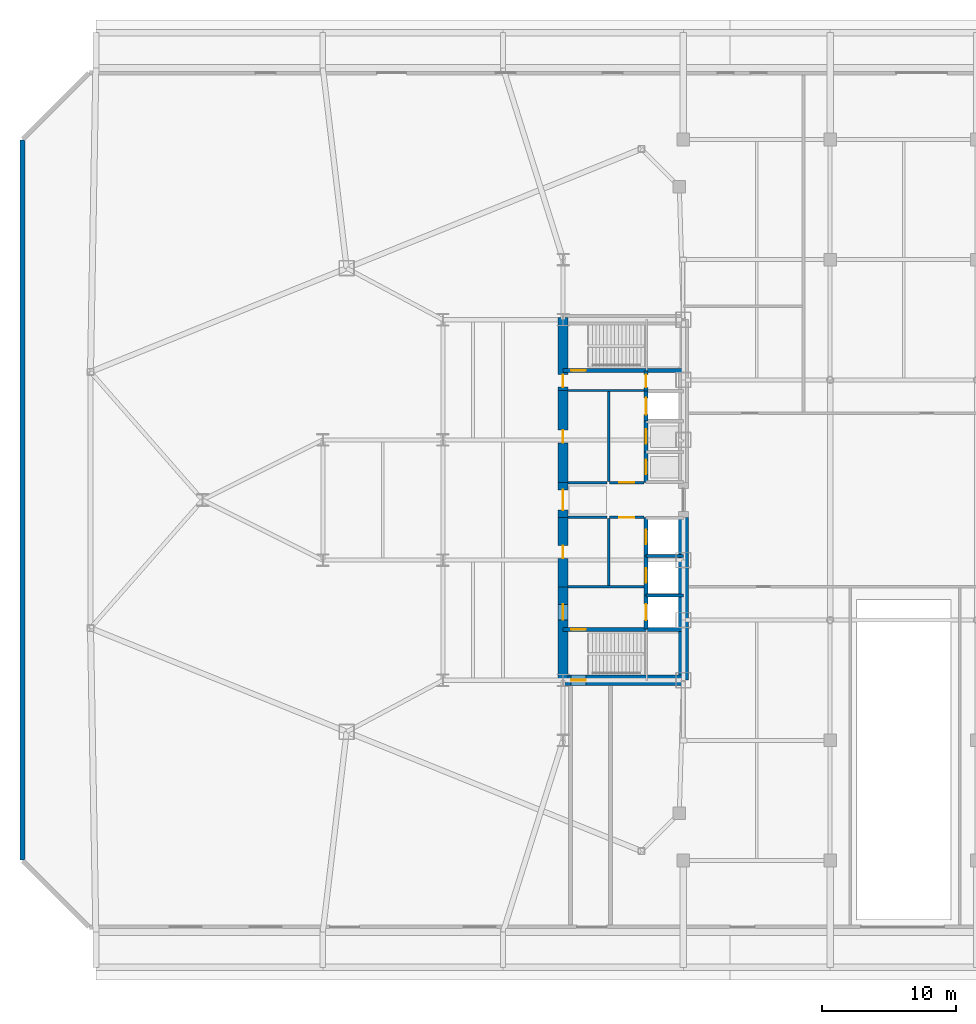
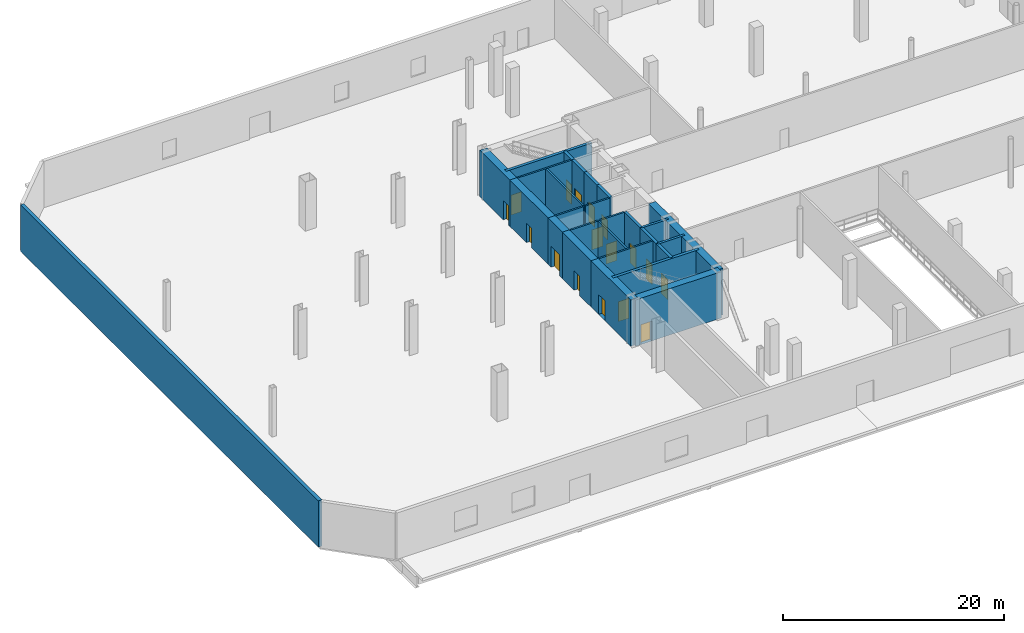
# One storey, part 10 of 21: 27 walls, 17 doors, 17 openings.
"""IFC4 building model written with IfcOpenShell, lengths in metres."""

import ifcopenshell
import ifcopenshell.guid

model = None  # the IFC model being written
_history = None  # IfcOwnerHistory: only IFC2X3 demands one
_inside = {}  # id of a spatial element -> (the spatial element, [elements in it])
_under = {}  # id of a project, library or spatial element -> (it, [spatial elements below it])
_declared = {}  # id of a project -> (the project, [libraries it declares])
_typed = {}  # id of a type object -> (the type object, [elements of that type])
_made_of = {}  # id of a material, layer set ... -> (it, [elements and type objects made of it])


def new_model(schema):
    """Start an empty IFC model of exactly this schema.

    Asked for "IFC4X3", IfcOpenShell would pick the latest addendum, in which some entities
    have other attributes; the version numbers below select the first issue.
    IFC2X3 requires an IfcOwnerHistory on every rooted entity: one is made here for all.
    """
    global model, _history
    if schema == "IFC4X3":
        model = ifcopenshell.file(schema_version=(4, 3, 0, 0))
    else:
        model = ifcopenshell.file(schema=schema)
    _inside.clear()
    _under.clear()
    _declared.clear()
    _typed.clear()
    _made_of.clear()
    _history = None
    if model.schema == "IFC2X3":
        org = make("IfcOrganization", Name="unknown")
        user = make(
            "IfcPersonAndOrganization",
            ThePerson=make("IfcPerson", FamilyName="unknown"),
            TheOrganization=org,
        )
        app = make(
            "IfcApplication",
            ApplicationDeveloper=org,
            Version="unknown",
            ApplicationFullName="unknown",
            ApplicationIdentifier="unknown",
        )
        _history = make(
            "IfcOwnerHistory",
            OwningUser=user,
            OwningApplication=app,
            ChangeAction="ADDED",
            CreationDate=0,
        )
    return model


def make(cls, **values):
    """One entity of the class cls with the attributes given. An attribute that is None is left unset."""
    return model.create_entity(
        cls, **{name: value for name, value in values.items() if value is not None}
    )


def rooted(cls, **values):
    """An entity with a GlobalId (a new one), such as an element, a storey or a relation."""
    return make(cls, GlobalId=ifcopenshell.guid.new(), OwnerHistory=_history, **values)


def si_unit(unit_type, name, prefix=None):
    """IfcSIUnit, for example si_unit("LENGTHUNIT", "METRE", prefix="MILLI")."""
    return make("IfcSIUnit", UnitType=unit_type, Prefix=prefix, Name=name)


def assignment(units):
    """IfcUnitAssignment: the units of a project."""
    return None if units is None else make("IfcUnitAssignment", Units=units)


def point(xyz):
    """IfcCartesianPoint."""
    return None if xyz is None else make("IfcCartesianPoint", Coordinates=xyz)


def direction(xyz):
    """IfcDirection."""
    return None if xyz is None else make("IfcDirection", DirectionRatios=xyz)


def frame(location, z_axis=None, x_axis=None):
    """IfcAxis2Placement3D, a coordinate frame: its origin and axes. An axis left out is left unset."""
    return make(
        "IfcAxis2Placement3D",
        Location=point(location),
        Axis=direction(z_axis),
        RefDirection=direction(x_axis),
    )


def frame_2d(location, x_axis=None):
    """IfcAxis2Placement2D, a coordinate frame in the plane: its origin and x axis."""
    return make(
        "IfcAxis2Placement2D", Location=point(location), RefDirection=direction(x_axis)
    )


def origin():
    """The frame at (0, 0, 0) with its axes left unset."""
    return frame((0.0, 0.0, 0.0))


def place(relative_to, where):
    """IfcLocalPlacement: puts the frame where relative to a parent placement (None: the world)."""
    return make(
        "IfcLocalPlacement", PlacementRelTo=relative_to, RelativePlacement=where
    )


def context(
    kind, dimensions, precision=None, world=None, true_north=None, identifier=None
):
    """IfcGeometricRepresentationContext, for example the 3D "Model" context."""
    return make(
        "IfcGeometricRepresentationContext",
        ContextIdentifier=identifier,
        ContextType=kind,
        CoordinateSpaceDimension=dimensions,
        Precision=precision,
        WorldCoordinateSystem=world,
        TrueNorth=true_north,
    )


def subcontext(parent, identifier, kind, view, scale=None):
    """IfcGeometricRepresentationSubContext, for example "Body" below "Model"."""
    return make(
        "IfcGeometricRepresentationSubContext",
        ContextIdentifier=identifier,
        ContextType=kind,
        ParentContext=parent,
        TargetScale=scale,
        TargetView=view,
    )


def project(units=None, contexts=None):
    """IfcProject with its units and contexts."""
    return rooted(
        "IfcProject",
        Name="project",
        RepresentationContexts=contexts,
        UnitsInContext=assignment(units),
    )


def spatial(cls, under=None, at=None, **own):
    """A site, building, storey or space (cls), placed at a placement, below another one or the project."""
    s = rooted(cls, ObjectPlacement=at, **own)
    if under is not None:
        _under.setdefault(under.id(), (under, []))[1].append(s)
    return s


def profile(cls, at=None, kind="AREA", **sizes):
    """A parametric profile (cls). Its sizes go by their IFC names, for example OverallWidth=200.0."""
    return make(cls, ProfileType=kind, Position=at, **sizes)


def rectangle(**sizes):
    """IfcRectangleProfileDef."""
    return profile("IfcRectangleProfileDef", **sizes)


def extrude(swept, where, along, depth):
    """IfcExtrudedAreaSolid: the profile swept, set in the frame where, extruded along a direction by depth."""
    return make(
        "IfcExtrudedAreaSolid",
        SweptArea=swept,
        Position=where,
        ExtrudedDirection=direction(along),
        Depth=depth,
    )


def shape(context_of_items, identifier, shape_type, items):
    """IfcShapeRepresentation: the items that make up one representation, for example the "Body"."""
    return make(
        "IfcShapeRepresentation",
        ContextOfItems=context_of_items,
        RepresentationIdentifier=identifier,
        RepresentationType=shape_type,
        Items=items,
    )


def source(mapping_origin, context_of_items, identifier, shape_type, items):
    """IfcRepresentationMap: a shape defined once, which mapped items show again and again."""
    return make(
        "IfcRepresentationMap",
        MappingOrigin=mapping_origin,
        MappedRepresentation=shape(context_of_items, identifier, shape_type, items),
    )


def transform(
    local_origin,
    x_axis=None,
    y_axis=None,
    z_axis=None,
    scale=None,
    scale2=None,
    scale3=None,
    uniform=True,
):
    """IfcCartesianTransformationOperator3D, or its non-uniform kind. x_axis, y_axis, z_axis: its Axis1, 2, 3."""
    if uniform:
        return make(
            "IfcCartesianTransformationOperator3D",
            Axis1=direction(x_axis),
            Axis2=direction(y_axis),
            LocalOrigin=point(local_origin),
            Scale=scale,
            Axis3=direction(z_axis),
        )
    return make(
        "IfcCartesianTransformationOperator3DnonUniform",
        Axis1=direction(x_axis),
        Axis2=direction(y_axis),
        LocalOrigin=point(local_origin),
        Scale=scale,
        Axis3=direction(z_axis),
        Scale2=scale2,
        Scale3=scale3,
    )


def mapped(mapping_source, mapping_target):
    """IfcMappedItem: shows the shape of a source again, moved by a transform."""
    return make(
        "IfcMappedItem", MappingSource=mapping_source, MappingTarget=mapping_target
    )


def material(Name=None, Category=None):
    """IfcMaterial."""
    return make("IfcMaterial", Name=Name, Category=Category)


def layer(
    of_material, thickness, ventilated=None, Name=None, Category=None, Priority=None
):
    """IfcMaterialLayer: one layer of a wall or slab, of a material (None: an air gap)."""
    return make(
        "IfcMaterialLayer",
        Material=of_material,
        LayerThickness=thickness,
        IsVentilated=ventilated,
        Name=Name,
        Category=Category,
        Priority=Priority,
    )


def layer_set(layers, Name=None):
    """IfcMaterialLayerSet."""
    return make("IfcMaterialLayerSet", MaterialLayers=layers, LayerSetName=Name)


def made_of(thing, what):
    """Note that an element or type object is made of a material, layer set ...; save() writes the relation."""
    if what is not None:
        _made_of.setdefault(what.id(), (what, []))[1].append(thing)
    return thing


def type_object(cls, material=None, **own):
    """A type object (cls), such as IfcWallType, which elements share."""
    return made_of(rooted(cls, **own), material)


def type_shapes(of_type, sources):
    """Give a type object the sources (RepresentationMaps) that its elements show as mapped items."""
    of_type.RepresentationMaps = sources


def element(
    cls,
    number,
    at=None,
    inside=None,
    cuts=None,
    type_object=None,
    material=None,
    context=None,
    identifier="Body",
    shape_type=None,
    held_by="IfcProductDefinitionShape",
    body=None,
    shapes=None,
    **own,
):
    """One element of the class cls, such as IfcWall. Its Tag is "e" and its number.

    at: its placement. inside: the storey or other place that contains it. cuts: it is an
    opening in that element (IfcRelVoidsElement). A single representation is given by context,
    identifier, shape_type and body (its items); several are given by shapes. held_by: the class
    of the entity that holds the representations. save() writes the other relations.
    """
    e = rooted(cls, Tag="e%d" % number, ObjectPlacement=at, **own)
    if body is not None:
        shapes = [shape(context, identifier, shape_type, body)]
    if shapes is not None:
        e.Representation = make(held_by, Representations=shapes)
    if inside is not None:
        _inside.setdefault(inside.id(), (inside, []))[1].append(e)
    if cuts is not None:
        rooted(
            "IfcRelVoidsElement", RelatingBuildingElement=cuts, RelatedOpeningElement=e
        )
    if type_object is not None:
        _typed.setdefault(type_object.id(), (type_object, []))[1].append(e)
    return made_of(e, material)


def fill(opening, filler):
    """IfcRelFillsElement: the door or window that sits in an opening."""
    return rooted(
        "IfcRelFillsElement",
        RelatingOpeningElement=opening,
        RelatedBuildingElement=filler,
    )


def aggregate(whole, parts):
    """IfcRelAggregates: a whole, such as a stair, and the parts it consists of."""
    return rooted("IfcRelAggregates", RelatingObject=whole, RelatedObjects=parts)


def save(model, path):
    """Write the relations noted so far, then the file.

    IfcRelAggregates (storeys below a building ...), IfcRelContainedInSpatialStructure (elements
    in a storey), IfcRelDefinesByType, IfcRelAssociatesMaterial and IfcRelDeclares: one each for
    every whole, place, type object, material and project.
    """
    for whole, parts in _under.values():
        aggregate(whole, parts)
    for where, things in _inside.values():
        rooted(
            "IfcRelContainedInSpatialStructure",
            RelatedElements=things,
            RelatingStructure=where,
        )
    for kind, things in _typed.values():
        rooted("IfcRelDefinesByType", RelatedObjects=things, RelatingType=kind)
    for what, things in _made_of.values():
        rooted("IfcRelAssociatesMaterial", RelatedObjects=things, RelatingMaterial=what)
    for by, libraries in _declared.values():
        rooted("IfcRelDeclares", RelatingContext=by, RelatedDefinitions=libraries)
    model.write(path)


model = new_model("IFC4")

# Units and contexts
model_context = context("Model", 3, precision=1e-05, world=origin(), true_north=direction((0.0, 1.0)))
body_context = subcontext(model_context, "Body", "Model", "MODEL_VIEW")
ifc_project = project(units=[si_unit("LENGTHUNIT", "METRE"), si_unit("AREAUNIT", "SQUARE_METRE"), si_unit("VOLUMEUNIT", "CUBIC_METRE"), si_unit("PLANEANGLEUNIT", "RADIAN"), si_unit("MASSUNIT", "GRAM", prefix="KILO")], contexts=[model_context])

# Site, building, storey
site_placement = place(None, origin())
site = spatial("IfcSite", under=ifc_project, at=site_placement, CompositionType="ELEMENT")
building_placement = place(site_placement, origin())
building = spatial("IfcBuilding", under=site, at=building_placement, Name="Seokmaru Belvedere", CompositionType="ELEMENT")
storey_placement = place(building_placement, origin())
storey = spatial("IfcBuildingStorey", under=building, at=storey_placement, Name="L00", CompositionType="ELEMENT", Elevation=0.0)

# Walls
ifc_material_1 = material(Name="Fire-Rated Gypsum Shaftwall")
ifc_layer_1 = layer(ifc_material_1, 0.179931640625)
ifc_layer_set_1 = layer_set([ifc_layer_1], Name="Fire-Rated Gypsum Shaftwall")
wall_type_1 = type_object("IfcWallType", Name="Core Service Fire Partition 180", PredefinedType="PARTITIONING", material=ifc_layer_set_1)
for number, where, z_axis, x_axis, name in (
    (1, (-36.14990234375, -6.5, 0.0), (0.0, 0.0, 1.0), (1.0, 0.0, 0.0), "L00 West Firefighting Lobby Partition"),
    (2, (-36.14990234375, 8.199951171875, 0.0), (0.0, 0.0, 1.0), (1.0, 0.0, 0.0), "L00 West Smokeproof Vestibule Partition"),
):
    element("IfcWall", number, at=place(storey_placement, frame(where, z_axis=z_axis, x_axis=x_axis)), inside=storey, type_object=wall_type_1, Name=name, PredefinedType="PARTITIONING", context=body_context, shape_type="SweptSolid", body=[
        extrude(rectangle(XDim=5.699951171875, YDim=0.179931640625, at=frame_2d((2.85009765625, 0.0))), origin(), (0.0, 0.0, 1.0), 5.1201171875),
    ])
wall_1_placement = place(storey_placement, frame((-33.10009765625, -6.419921875, 0.0), z_axis=(0.0, 0.0, 1.0), x_axis=(0.0, 1.0, 0.0)))
element("IfcWall", 3, at=wall_1_placement, inside=storey, type_object=wall_type_1, Name="L00 West South Core Service Back Wall", PredefinedType="PARTITIONING", context=body_context, shape_type="SweptSolid", body=[
    extrude(rectangle(XDim=5.0400390625, YDim=0.179931640625, at=frame_2d((2.52001953125, 0.0))), origin(), (0.0, 0.0, 1.0), 5.1201171875),
])
wall_2_placement = place(storey_placement, frame((-33.10009765625, 1.3798828125, 0.0), z_axis=(0.0, 0.0, 1.0), x_axis=(0.0, 1.0, 0.0)))
element("IfcWall", 4, at=wall_2_placement, inside=storey, type_object=wall_type_1, Name="L00 West North Core Service Back Wall", PredefinedType="PARTITIONING", context=body_context, shape_type="SweptSolid", body=[
    extrude(rectangle(XDim=6.740234375, YDim=0.179931640625, at=frame_2d((3.3701171875, 0.0))), origin(), (0.0, 0.0, 1.0), 5.1201171875),
])

# Wall, opening, door
wall_3_placement = place(storey_placement, frame((-33.02001953125, -1.300048828125, 0.0), z_axis=(0.0, 0.0, 1.0), x_axis=(1.0, 0.0, 0.0)))
wall_3 = element("IfcWall", 5, at=wall_3_placement, inside=storey, type_object=wall_type_1, Name="L00 West South Lift Lobby Foyer Wall", PredefinedType="PARTITIONING", context=body_context, shape_type="SweptSolid", body=[
    extrude(rectangle(XDim=2.570068359375, YDim=0.179931640625, at=frame_2d((1.28515625, 0.0))), origin(), (0.0, 0.0, 1.0), 5.1201171875),
])
opening_1_placement = place(wall_3_placement, frame((0.7099609375, 0.0, 0.0)))
opening_1 = element("IfcOpeningElement", 6, at=opening_1_placement, cuts=wall_3, Name="Opening D02", PredefinedType="OPENING", context=body_context, shape_type="SweptSolid", body=[
    extrude(rectangle(XDim=1.14990234375, YDim=2.199951171875, at=frame_2d((0.574951171875, 1.10009765625))), frame((0.0, 0.10009765625, 0.0), z_axis=(0.0, -1.0, 0.0), x_axis=(1.0, 0.0, 0.0)), (0.0, 0.0, 1.0), 0.199951171875),
])
ifc_material_2 = material(Name="Fire-Rated Steel Leaf", Category="steel")
door_type_1 = type_object("IfcDoorType", Name="Lobby and Vestibule Fire Door 1150x2200", OperationType="NOTDEFINED", PredefinedType="DOOR", material=ifc_material_2)
shared_shape_1 = source(origin(), body_context, "Body", "SweptSolid", [
    extrude(rectangle(XDim=1.14990234375, YDim=2.199951171875, at=frame_2d((0.574951171875, 1.10009765625))), frame((0.0, 0.02490234375, 0.0), z_axis=(0.0, -1.0, 0.0), x_axis=(1.0, 0.0, 0.0)), (0.0, 0.0, 1.0), 0.050048828125),
])
type_shapes(door_type_1, [shared_shape_1])
door_1_placement = place(opening_1_placement, origin())
door_1 = element("IfcDoor", 7, at=door_1_placement, inside=storey, type_object=door_type_1, Name="L00 West South Core Foyer Door", OperationType="SINGLE_SWING_LEFT", OverallHeight=2.199951171875, OverallWidth=1.14990234375, PredefinedType="DOOR", context=body_context, shape_type="MappedRepresentation", body=[
    mapped(shared_shape_1, transform((0.0, 0.0, 0.0), scale=1.0)),
])
fill(opening_1, door_1)

wall_4_placement = place(storey_placement, frame((-33.02001953125, 1.300048828125, 0.0), z_axis=(0.0, 0.0, 1.0), x_axis=(1.0, 0.0, 0.0)))
wall_4 = element("IfcWall", 8, at=wall_4_placement, inside=storey, type_object=wall_type_1, Name="L00 West North Lift Lobby Foyer Wall", PredefinedType="PARTITIONING", context=body_context, shape_type="SweptSolid", body=[
    extrude(rectangle(XDim=2.570068359375, YDim=0.179931640625, at=frame_2d((1.28515625, 0.0))), origin(), (0.0, 0.0, 1.0), 5.1201171875),
])
opening_2_placement = place(wall_4_placement, frame((0.7099609375, 0.0, 0.0)))
opening_2 = element("IfcOpeningElement", 9, at=opening_2_placement, cuts=wall_4, Name="Opening D02", PredefinedType="OPENING", context=body_context, shape_type="SweptSolid", body=[
    extrude(rectangle(XDim=1.14990234375, YDim=2.199951171875, at=frame_2d((0.574951171875, 1.10009765625))), frame((0.0, 0.10009765625, 0.0), z_axis=(0.0, -1.0, 0.0), x_axis=(1.0, 0.0, 0.0)), (0.0, 0.0, 1.0), 0.199951171875),
])
door_2_placement = place(opening_2_placement, origin())
door_2 = element("IfcDoor", 10, at=door_2_placement, inside=storey, type_object=door_type_1, Name="L00 West North Lift Lobby Door", OperationType="SINGLE_SWING_RIGHT", OverallHeight=2.199951171875, OverallWidth=1.14990234375, PredefinedType="DOOR", context=body_context, shape_type="MappedRepresentation", body=[
    mapped(shared_shape_1, transform((0.0, 0.0, 0.0), scale=1.0)),
])
fill(opening_2, door_2)

# Walls
for number, where, z_axis, x_axis, name in (
    (11, (-36.14990234375, -1.300048828125, 0.0), (0.0, 0.0, 1.0), (1.0, 0.0, 0.0), "L00 West Foyer Side Wall S"),
    (12, (-36.14990234375, 1.300048828125, 0.0), (0.0, 0.0, 1.0), (1.0, 0.0, 0.0), "L00 West Foyer Side Wall N"),
):
    element("IfcWall", number, at=place(storey_placement, frame(where, z_axis=z_axis, x_axis=x_axis)), inside=storey, type_object=wall_type_1, Name=name, PredefinedType="PARTITIONING", context=body_context, shape_type="SweptSolid", body=[
        extrude(rectangle(XDim=2.949951171875, YDim=0.179931640625, at=frame_2d((1.47509765625, 0.0))), origin(), (0.0, 0.0, 1.0), 5.1201171875),
    ])
ifc_material_3 = material(Name="Concrete C50 (50 MPa)", Category="concrete")
ifc_layer_2 = layer(ifc_material_3, 0.25)
ifc_layer_set_2 = layer_set([ifc_layer_2], Name="Concrete C50 (50 MPa)")
wall_type_2 = type_object("IfcWallType", Name="Hoistway Transverse Concrete Divider Wall 250", PredefinedType="SHEAR", material=ifc_layer_set_2)
for number, where, z_axis, x_axis, name in (
    (13, (-30.300048828125, -7.14990234375, 0.0), (0.0, 0.0, 1.0), (1.0, 0.0, 0.0), "L00 West Hoistway Divider Core Wall 1"),
    (14, (-30.300048828125, -4.199951171875, 0.0), (0.0, 0.0, 1.0), (1.0, 0.0, 0.0), "L00 West Hoistway Divider Core Wall 2"),
):
    element("IfcWall", number, at=place(storey_placement, frame(where, z_axis=z_axis, x_axis=x_axis)), inside=storey, type_object=wall_type_2, Name=name, PredefinedType="SHEAR", context=body_context, shape_type="SweptSolid", body=[
        extrude(rectangle(XDim=2.800048828125, YDim=0.25, at=frame_2d((1.39990234375, 0.0))), origin(), (0.0, 0.0, 1.0), 5.1201171875),
    ])

# Wall, opening, door
ifc_layer_3 = layer(ifc_material_3, 0.300048828125)
ifc_layer_set_3 = layer_set([ifc_layer_3], Name="Concrete C50 (50 MPa)")
wall_type_3 = type_object("IfcWallType", Name="Internal Core Stair and Hoistway Wall 300", PredefinedType="SHEAR", material=ifc_layer_set_3)
wall_5_placement = place(storey_placement, frame((-36.5, -9.699951171875, 0.0), z_axis=(0.0, 0.0, 1.0), x_axis=(1.0, 0.0, 0.0)))
wall_5 = element("IfcWall", 15, at=wall_5_placement, inside=storey, type_object=wall_type_3, Name="L00 West Stair ST-1 Enclosure Wall", PredefinedType="SHEAR", context=body_context, shape_type="SweptSolid", body=[
    extrude(rectangle(XDim=9.0, YDim=0.300048828125, at=frame_2d((4.5, 0.0))), origin(), (0.0, 0.0, 1.0), 5.1201171875),
])
opening_3_placement = place(wall_5_placement, frame((0.60009765625, 0.0, 0.0)))
opening_3 = element("IfcOpeningElement", 16, at=opening_3_placement, cuts=wall_5, Name="Opening D01", PredefinedType="OPENING", context=body_context, shape_type="SweptSolid", body=[
    extrude(rectangle(XDim=1.10009765625, YDim=2.199951171875, at=frame_2d((0.550048828125, 1.10009765625))), frame((0.0, 0.16015625, 0.0), z_axis=(0.0, -1.0, 0.0), x_axis=(1.0, 0.0, 0.0)), (0.0, 0.0, 1.0), 0.320068359375),
])
door_type_2 = type_object("IfcDoorType", Name="Special Escape Stair Smokeproof Fire Door 1100x2200", OperationType="NOTDEFINED", PredefinedType="DOOR", material=ifc_material_2)
shared_shape_2 = source(origin(), body_context, "Body", "SweptSolid", [
    extrude(rectangle(XDim=1.10009765625, YDim=2.199951171875, at=frame_2d((0.550048828125, 1.10009765625))), frame((0.0, 0.02490234375, 0.0), z_axis=(0.0, -1.0, 0.0), x_axis=(1.0, 0.0, 0.0)), (0.0, 0.0, 1.0), 0.050048828125),
])
type_shapes(door_type_2, [shared_shape_2])
door_3_placement = place(opening_3_placement, origin())
door_3 = element("IfcDoor", 17, at=door_3_placement, inside=storey, type_object=door_type_2, Name="L00 West Special Escape Stair ST-1 Door", OperationType="SINGLE_SWING_LEFT", OverallHeight=2.199951171875, OverallWidth=1.10009765625, PredefinedType="DOOR", context=body_context, shape_type="MappedRepresentation", body=[
    mapped(shared_shape_2, transform((0.0, 0.0, 0.0), scale=1.0)),
])
fill(opening_3, door_3)

wall_6_placement = place(storey_placement, frame((-36.5, 9.699951171875, 0.0), z_axis=(0.0, 0.0, 1.0), x_axis=(1.0, 0.0, 0.0)))
wall_6 = element("IfcWall", 18, at=wall_6_placement, inside=storey, type_object=wall_type_3, Name="L00 West Stair ST-2 Enclosure Wall", PredefinedType="SHEAR", context=body_context, shape_type="SweptSolid", body=[
    extrude(rectangle(XDim=9.0, YDim=0.300048828125, at=frame_2d((4.5, 0.0))), origin(), (0.0, 0.0, 1.0), 5.1201171875),
])
opening_4_placement = place(wall_6_placement, frame((0.60009765625, 0.0, 0.0)))
opening_4 = element("IfcOpeningElement", 19, at=opening_4_placement, cuts=wall_6, Name="Opening D01", PredefinedType="OPENING", context=body_context, shape_type="SweptSolid", body=[
    extrude(rectangle(XDim=1.10009765625, YDim=2.199951171875, at=frame_2d((0.550048828125, 1.10009765625))), frame((0.0, 0.16015625, 0.0), z_axis=(0.0, -1.0, 0.0), x_axis=(1.0, 0.0, 0.0)), (0.0, 0.0, 1.0), 0.320068359375),
])
door_4_placement = place(opening_4_placement, frame((1.10009765625, 0.0, 0.0), z_axis=(0.0, 0.0, 1.0), x_axis=(-1.0, 0.0, 0.0)))
door_4 = element("IfcDoor", 20, at=door_4_placement, inside=storey, type_object=door_type_2, Name="L00 West Special Escape Stair ST-2 Door", OperationType="SINGLE_SWING_RIGHT", OverallHeight=2.199951171875, OverallWidth=1.10009765625, PredefinedType="DOOR", context=body_context, shape_type="MappedRepresentation", body=[
    mapped(shared_shape_2, transform((0.0, 0.0, 0.0), scale=1.0)),
])
fill(opening_4, door_4)

wall_7_placement = place(storey_placement, frame((-30.300048828125, -9.679931640625, 0.0), z_axis=(0.0, 0.0, 1.0), x_axis=(0.0, 1.0, 0.0)))
wall_7 = element("IfcWall", 21, at=wall_7_placement, inside=storey, type_object=wall_type_3, Name="L00 West Firefighting Lift Shaft Front Wall", PredefinedType="SHEAR", context=body_context, shape_type="SweptSolid", body=[
    extrude(rectangle(XDim=2.559814453125, YDim=0.300048828125, at=frame_2d((1.27978515625, 0.0))), origin(), (0.0, 0.0, 1.0), 5.1201171875),
])
opening_5_placement = place(wall_7_placement, frame((0.679931640625, 0.0, 0.0)))
opening_5 = element("IfcOpeningElement", 22, at=opening_5_placement, cuts=wall_7, Name="Opening LD2", PredefinedType="OPENING", context=body_context, shape_type="SweptSolid", body=[
    extrude(rectangle(XDim=1.199951171875, YDim=2.25, at=frame_2d((0.60009765625, 1.125))), frame((0.0, 0.16015625, 0.0), z_axis=(0.0, -1.0, 0.0), x_axis=(1.0, 0.0, 0.0)), (0.0, 0.0, 1.0), 0.320068359375),
])
ifc_material_4 = material(Name="Stainless Steel 316", Category="steel")
door_type_3 = type_object("IfcDoorType", Name="Firefighting Lift Sliding Landing Door 1200x2250", OperationType="DOUBLE_DOOR_SLIDING", PredefinedType="DOOR", material=ifc_material_4)
shared_shape_3 = source(origin(), body_context, "Body", "SweptSolid", [
    extrude(rectangle(XDim=1.199951171875, YDim=2.25, at=frame_2d((0.60009765625, 1.125))), frame((0.0, 0.02490234375, 0.0), z_axis=(0.0, -1.0, 0.0), x_axis=(1.0, 0.0, 0.0)), (0.0, 0.0, 1.0), 0.050048828125),
])
type_shapes(door_type_3, [shared_shape_3])
door_5_placement = place(opening_5_placement, origin())
door_5 = element("IfcDoor", 23, at=door_5_placement, inside=storey, type_object=door_type_3, Name="L00 West Firefighting Lift Landing Door", OperationType="DOUBLE_DOOR_SLIDING", OverallHeight=2.25, OverallWidth=1.199951171875, PredefinedType="DOOR", context=body_context, shape_type="MappedRepresentation", body=[
    mapped(shared_shape_3, transform((0.0, 0.0, 0.0), scale=1.0)),
])
fill(opening_5, door_5)

wall_8_placement = place(storey_placement, frame((-30.300048828125, -7.1201171875, 0.0), z_axis=(0.0, 0.0, 1.0), x_axis=(0.0, 1.0, 0.0)))
wall_8 = element("IfcWall", 24, at=wall_8_placement, inside=storey, type_object=wall_type_3, Name="L00 West Low-Rise Lift PL-1 Front Wall", PredefinedType="SHEAR", context=body_context, shape_type="SweptSolid", body=[
    extrude(rectangle(XDim=2.920166015625, YDim=0.300048828125, at=frame_2d((1.4599609375, 0.0))), origin(), (0.0, 0.0, 1.0), 5.1201171875),
])
opening_6_placement = place(wall_8_placement, frame((0.909912109375, 0.0, 0.0)))
opening_6 = element("IfcOpeningElement", 25, at=opening_6_placement, cuts=wall_8, Name="Opening LD1", PredefinedType="OPENING", context=body_context, shape_type="SweptSolid", body=[
    extrude(rectangle(XDim=1.10009765625, YDim=2.199951171875, at=frame_2d((0.550048828125, 1.10009765625))), frame((0.0, 0.16015625, 0.0), z_axis=(0.0, -1.0, 0.0), x_axis=(1.0, 0.0, 0.0)), (0.0, 0.0, 1.0), 0.320068359375),
])
door_type_4 = type_object("IfcDoorType", Name="Passenger Lift Sliding Landing Door 1100x2200", OperationType="DOUBLE_DOOR_SLIDING", PredefinedType="DOOR", material=ifc_material_4)
shared_shape_4 = source(origin(), body_context, "Body", "SweptSolid", [
    extrude(rectangle(XDim=1.10009765625, YDim=2.199951171875, at=frame_2d((0.550048828125, 1.10009765625))), frame((0.0, 0.02490234375, 0.0), z_axis=(0.0, -1.0, 0.0), x_axis=(1.0, 0.0, 0.0)), (0.0, 0.0, 1.0), 0.050048828125),
])
type_shapes(door_type_4, [shared_shape_4])
door_6_placement = place(opening_6_placement, origin())
door_6 = element("IfcDoor", 26, at=door_6_placement, inside=storey, type_object=door_type_4, Name="L00 West Low-Rise Lift PL-1 Landing Door", OperationType="DOUBLE_DOOR_SLIDING", OverallHeight=2.199951171875, OverallWidth=1.10009765625, PredefinedType="DOOR", context=body_context, shape_type="MappedRepresentation", body=[
    mapped(shared_shape_4, transform((0.0, 0.0, 0.0), scale=1.0)),
])
fill(opening_6, door_6)

wall_9_placement = place(storey_placement, frame((-30.300048828125, -4.199951171875, 0.0), z_axis=(0.0, 0.0, 1.0), x_axis=(0.0, 1.0, 0.0)))
wall_9 = element("IfcWall", 27, at=wall_9_placement, inside=storey, type_object=wall_type_3, Name="L00 West Low-Rise Lift PL-2 Front Wall", PredefinedType="SHEAR", context=body_context, shape_type="SweptSolid", body=[
    extrude(rectangle(XDim=2.8798828125, YDim=0.300048828125, at=frame_2d((1.43994140625, 0.0))), origin(), (0.0, 0.0, 1.0), 5.1201171875),
])
opening_7_placement = place(wall_9_placement, frame((0.889892578125, 0.0, 0.0)))
opening_7 = element("IfcOpeningElement", 28, at=opening_7_placement, cuts=wall_9, Name="Opening LD1", PredefinedType="OPENING", context=body_context, shape_type="SweptSolid", body=[
    extrude(rectangle(XDim=1.10009765625, YDim=2.199951171875, at=frame_2d((0.550048828125, 1.10009765625))), frame((0.0, 0.16015625, 0.0), z_axis=(0.0, -1.0, 0.0), x_axis=(1.0, 0.0, 0.0)), (0.0, 0.0, 1.0), 0.320068359375),
])
door_7_placement = place(opening_7_placement, origin())
door_7 = element("IfcDoor", 29, at=door_7_placement, inside=storey, type_object=door_type_4, Name="L00 West Low-Rise Lift PL-2 Landing Door", OperationType="DOUBLE_DOOR_SLIDING", OverallHeight=2.199951171875, OverallWidth=1.10009765625, PredefinedType="DOOR", context=body_context, shape_type="MappedRepresentation", body=[
    mapped(shared_shape_4, transform((0.0, 0.0, 0.0), scale=1.0)),
])
fill(opening_7, door_7)

wall_10_placement = place(storey_placement, frame((-30.300048828125, 1.320068359375, 0.0), z_axis=(0.0, 0.0, 1.0), x_axis=(0.0, 1.0, 0.0)))
wall_10 = element("IfcWall", 30, at=wall_10_placement, inside=storey, type_object=wall_type_3, Name="L00 West North Hoistway Wall PH1", PredefinedType="SHEAR", context=body_context, shape_type="SweptSolid", body=[
    extrude(rectangle(XDim=2.280029296875, YDim=0.300048828125, at=frame_2d((1.14013671875, 0.0))), origin(), (0.0, 0.0, 1.0), 5.1201171875),
])
opening_8_placement = place(wall_10_placement, frame((0.590087890625, 0.0, 0.0)))
opening_8 = element("IfcOpeningElement", 31, at=opening_8_placement, cuts=wall_10, Name="Opening LD1", PredefinedType="OPENING", context=body_context, shape_type="SweptSolid", body=[
    extrude(rectangle(XDim=1.10009765625, YDim=2.199951171875, at=frame_2d((0.550048828125, 1.10009765625))), frame((0.0, 0.16015625, 0.0), z_axis=(0.0, -1.0, 0.0), x_axis=(1.0, 0.0, 0.0)), (0.0, 0.0, 1.0), 0.320068359375),
])
door_8_placement = place(opening_8_placement, origin())
door_8 = element("IfcDoor", 32, at=door_8_placement, inside=storey, type_object=door_type_4, Name="L00 West High-Rise Lift PH-1 Landing Door", OperationType="DOUBLE_DOOR_SLIDING", OverallHeight=2.199951171875, OverallWidth=1.10009765625, PredefinedType="DOOR", context=body_context, shape_type="MappedRepresentation", body=[
    mapped(shared_shape_4, transform((0.0, 0.0, 0.0), scale=1.0)),
])
fill(opening_8, door_8)

wall_11_placement = place(storey_placement, frame((-30.300048828125, 3.60009765625, 0.0), z_axis=(0.0, 0.0, 1.0), x_axis=(0.0, 1.0, 0.0)))
wall_11 = element("IfcWall", 33, at=wall_11_placement, inside=storey, type_object=wall_type_3, Name="L00 West North Hoistway Wall PH2", PredefinedType="SHEAR", context=body_context, shape_type="SweptSolid", body=[
    extrude(rectangle(XDim=2.2998046875, YDim=0.300048828125, at=frame_2d((1.14990234375, 0.0))), origin(), (0.0, 0.0, 1.0), 5.1201171875),
])
opening_9_placement = place(wall_11_placement, frame((0.60009765625, 0.0, 0.0)))
opening_9 = element("IfcOpeningElement", 34, at=opening_9_placement, cuts=wall_11, Name="Opening LD1", PredefinedType="OPENING", context=body_context, shape_type="SweptSolid", body=[
    extrude(rectangle(XDim=1.10009765625, YDim=2.199951171875, at=frame_2d((0.550048828125, 1.10009765625))), frame((0.0, 0.16015625, 0.0), z_axis=(0.0, -1.0, 0.0), x_axis=(1.0, 0.0, 0.0)), (0.0, 0.0, 1.0), 0.320068359375),
])
door_9_placement = place(opening_9_placement, origin())
door_9 = element("IfcDoor", 35, at=door_9_placement, inside=storey, type_object=door_type_4, Name="L00 West High-Rise Lift PH-2 Landing Door", OperationType="DOUBLE_DOOR_SLIDING", OverallHeight=2.199951171875, OverallWidth=1.10009765625, PredefinedType="DOOR", context=body_context, shape_type="MappedRepresentation", body=[
    mapped(shared_shape_4, transform((0.0, 0.0, 0.0), scale=1.0)),
])
fill(opening_9, door_9)

wall_12_placement = place(storey_placement, frame((-30.300048828125, 5.89990234375, 0.0), z_axis=(0.0, 0.0, 1.0), x_axis=(0.0, 1.0, 0.0)))
wall_12 = element("IfcWall", 36, at=wall_12_placement, inside=storey, type_object=wall_type_3, Name="L00 West North Hoistway Wall OBS", PredefinedType="SHEAR", context=body_context, shape_type="SweptSolid", body=[
    extrude(rectangle(XDim=2.25, YDim=0.300048828125, at=frame_2d((1.125, 0.0))), origin(), (0.0, 0.0, 1.0), 5.1201171875),
])
opening_10_placement = place(wall_12_placement, frame((0.4951171875, 0.0, 0.0)))
opening_10 = element("IfcOpeningElement", 37, at=opening_10_placement, cuts=wall_12, Name="Opening LD3", PredefinedType="OPENING", context=body_context, shape_type="SweptSolid", body=[
    extrude(rectangle(XDim=1.25, YDim=2.300048828125, at=frame_2d((0.625, 1.14990234375))), frame((0.0, 0.16015625, 0.0), z_axis=(0.0, -1.0, 0.0), x_axis=(1.0, 0.0, 0.0)), (0.0, 0.0, 1.0), 0.320068359375),
])
door_type_5 = type_object("IfcDoorType", Name="Observatory Shuttle Sliding Landing Door 1250x2300", OperationType="DOUBLE_DOOR_SLIDING", PredefinedType="DOOR", material=ifc_material_4)
shared_shape_5 = source(origin(), body_context, "Body", "SweptSolid", [
    extrude(rectangle(XDim=1.25, YDim=2.300048828125, at=frame_2d((0.625, 1.14990234375))), frame((0.0, 0.02490234375, 0.0), z_axis=(0.0, -1.0, 0.0), x_axis=(1.0, 0.0, 0.0)), (0.0, 0.0, 1.0), 0.050048828125),
])
type_shapes(door_type_5, [shared_shape_5])
door_10_placement = place(opening_10_placement, origin())
door_10 = element("IfcDoor", 38, at=door_10_placement, inside=storey, type_object=door_type_5, Name="L00 West Express Observatory Lift Landing Door", OperationType="DOUBLE_DOOR_SLIDING", OverallHeight=2.300048828125, OverallWidth=1.25, PredefinedType="DOOR", context=body_context, shape_type="MappedRepresentation", body=[
    mapped(shared_shape_5, transform((0.0, 0.0, 0.0), scale=1.0)),
])
fill(opening_10, door_10)

wall_13_placement = place(storey_placement, frame((-30.300048828125, 8.14990234375, 0.0), z_axis=(0.0, 0.0, 1.0), x_axis=(0.0, 1.0, 0.0)))
wall_13 = element("IfcWall", 39, at=wall_13_placement, inside=storey, type_object=wall_type_3, Name="L00 West Electrical Riser Front Wall", PredefinedType="SHEAR", context=body_context, shape_type="SweptSolid", body=[
    extrude(rectangle(XDim=1.530029296875, YDim=0.300048828125, at=frame_2d((0.76513671875, 0.0))), origin(), (0.0, 0.0, 1.0), 5.1201171875),
])
opening_11_placement = place(wall_13_placement, frame((0.284912109375, 0.0, 0.0)))
opening_11 = element("IfcOpeningElement", 40, at=opening_11_placement, cuts=wall_13, Name="Opening D04", PredefinedType="OPENING", context=body_context, shape_type="SweptSolid", body=[
    extrude(rectangle(XDim=0.949951171875, YDim=2.14990234375, at=frame_2d((0.47509765625, 1.074951171875))), frame((0.0, 0.16015625, 0.0), z_axis=(0.0, -1.0, 0.0), x_axis=(1.0, 0.0, 0.0)), (0.0, 0.0, 1.0), 0.320068359375),
])
door_type_6 = type_object("IfcDoorType", Name="Core Service Room Fire Door 950x2150", OperationType="NOTDEFINED", PredefinedType="DOOR", material=ifc_material_2)
shared_shape_6 = source(origin(), body_context, "Body", "SweptSolid", [
    extrude(rectangle(XDim=0.949951171875, YDim=2.14990234375, at=frame_2d((0.47509765625, 1.074951171875))), frame((0.0, 0.02490234375, 0.0), z_axis=(0.0, -1.0, 0.0), x_axis=(1.0, 0.0, 0.0)), (0.0, 0.0, 1.0), 0.050048828125),
])
type_shapes(door_type_6, [shared_shape_6])
door_11_placement = place(opening_11_placement, origin())
door_11 = element("IfcDoor", 41, at=door_11_placement, inside=storey, type_object=door_type_6, Name="L00 West Electrical Riser Access Door", OperationType="SINGLE_SWING_LEFT", OverallHeight=2.14990234375, OverallWidth=0.949951171875, PredefinedType="DOOR", context=body_context, shape_type="MappedRepresentation", body=[
    mapped(shared_shape_6, transform((0.0, 0.0, 0.0), scale=1.0)),
])
fill(opening_11, door_11)

# Wall
ifc_material_5 = material(Name="Concrete C60 (60 MPa)", Category="concrete")
ifc_layer_4 = layer(ifc_material_5, 0.75)
ifc_layer_set_4 = layer_set([ifc_layer_4], Name="Concrete C60 (60 MPa)")
wall_type_4 = type_object("IfcWallType", Name="Lower Tower Reinforced Concrete Core Wall 750", PredefinedType="SHEAR", material=ifc_layer_set_4)
wall_14_placement = place(storey_placement, frame((-27.5, -13.5, 0.0), z_axis=(0.0, 0.0, 1.0), x_axis=(0.0, 1.0, 0.0)))
element("IfcWall", 42, at=wall_14_placement, inside=storey, type_object=wall_type_4, Name="L00 West Portal Spine Core Wall South", PredefinedType="SHEAR", context=body_context, shape_type="SweptSolid", body=[
    extrude(rectangle(XDim=12.199951171875, YDim=0.75, at=frame_2d((6.10009765625, 0.0))), origin(), (0.0, 0.0, 1.0), 5.1201171875),
])

# Wall, opening, door
wall_15_placement = place(storey_placement, frame((-36.5, -13.5, 0.0), z_axis=(0.0, 0.0, 1.0), x_axis=(1.0, 0.0, 0.0)))
wall_15 = element("IfcWall", 43, at=wall_15_placement, inside=storey, type_object=wall_type_4, Name="L00 West South Core Wall", PredefinedType="SHEAR", context=body_context, shape_type="SweptSolid", body=[
    extrude(rectangle(XDim=9.0, YDim=0.75, at=frame_2d((4.5, 0.0))), origin(), (0.0, 0.0, 1.0), 5.1201171875),
])
opening_12_placement = place(wall_15_placement, frame((0.60009765625, 0.0, 0.0)))
opening_12 = element("IfcOpeningElement", 44, at=opening_12_placement, cuts=wall_15, Name="Opening D01", PredefinedType="OPENING", context=body_context, shape_type="SweptSolid", body=[
    extrude(rectangle(XDim=1.10009765625, YDim=2.199951171875, at=frame_2d((0.550048828125, 1.10009765625))), frame((0.0, 0.385009765625, 0.0), z_axis=(0.0, -1.0, 0.0), x_axis=(1.0, 0.0, 0.0)), (0.0, 0.0, 1.0), 0.77001953125),
])
door_12_placement = place(opening_12_placement, frame((1.10009765625, 0.0, 0.0), z_axis=(0.0, 0.0, 1.0), x_axis=(-1.0, 0.0, 0.0)))
door_12 = element("IfcDoor", 45, at=door_12_placement, inside=storey, type_object=door_type_2, Name="L00 West Special Escape Stair ST-1 Exit Door", OperationType="SINGLE_SWING_LEFT", OverallHeight=2.199951171875, OverallWidth=1.10009765625, PredefinedType="DOOR", context=body_context, shape_type="MappedRepresentation", body=[
    mapped(shared_shape_2, transform((0.0, 0.0, 0.0), scale=1.0)),
])
fill(opening_12, door_12)

wall_16_placement = place(storey_placement, frame((-36.5, -13.64990234375, 0.0), z_axis=(0.0, 0.0, 1.0), x_axis=(0.0, 1.0, 0.0)))
wall_16 = element("IfcWall", 46, at=wall_16_placement, inside=storey, type_object=wall_type_4, Name="L00 West West Core Wall FF", PredefinedType="SHEAR", context=body_context, shape_type="SweptSolid", body=[
    extrude(rectangle(XDim=7.14990234375, YDim=0.75, at=frame_2d((3.574951171875, 0.0))), origin(), (0.0, 0.0, 1.0), 5.1201171875),
])
opening_13_placement = place(wall_16_placement, frame((4.675048828125, 0.0, 0.0)))
opening_13 = element("IfcOpeningElement", 47, at=opening_13_placement, cuts=wall_16, Name="Opening D02", PredefinedType="OPENING", context=body_context, shape_type="SweptSolid", body=[
    extrude(rectangle(XDim=1.14990234375, YDim=2.199951171875, at=frame_2d((0.574951171875, 1.10009765625))), frame((0.0, 0.385009765625, 0.0), z_axis=(0.0, -1.0, 0.0), x_axis=(1.0, 0.0, 0.0)), (0.0, 0.0, 1.0), 0.77001953125),
])
door_13_placement = place(opening_13_placement, origin())
door_13 = element("IfcDoor", 48, at=door_13_placement, inside=storey, type_object=door_type_1, Name="L00 West Firefighting Lobby Door", OperationType="SINGLE_SWING_LEFT", OverallHeight=2.199951171875, OverallWidth=1.14990234375, PredefinedType="DOOR", context=body_context, shape_type="MappedRepresentation", body=[
    mapped(shared_shape_1, transform((0.0, 0.0, 0.0), scale=1.0)),
])
fill(opening_13, door_13)

wall_17_placement = place(storey_placement, frame((-36.5, -1.300048828125, 0.0), z_axis=(0.0, 0.0, 1.0), x_axis=(0.0, 1.0, 0.0)))
wall_17 = element("IfcWall", 49, at=wall_17_placement, inside=storey, type_object=wall_type_4, Name="L00 West West Core Wall FOY", PredefinedType="SHEAR", context=body_context, shape_type="SweptSolid", body=[
    extrude(rectangle(XDim=2.60009765625, YDim=0.75, at=frame_2d((1.300048828125, 0.0))), origin(), (0.0, 0.0, 1.0), 5.1201171875),
])
opening_14_placement = place(wall_17_placement, frame((0.550048828125, 0.0, 0.0)))
opening_14 = element("IfcOpeningElement", 50, at=opening_14_placement, cuts=wall_17, Name="Opening D08", PredefinedType="OPENING", context=body_context, shape_type="SweptSolid", body=[
    extrude(rectangle(XDim=1.5, YDim=2.300048828125, at=frame_2d((0.75, 1.14990234375))), frame((0.0, 0.385009765625, 0.0), z_axis=(0.0, -1.0, 0.0), x_axis=(1.0, 0.0, 0.0)), (0.0, 0.0, 1.0), 0.77001953125),
])
door_type_7 = type_object("IfcDoorType", Name="Cross-Corridor Compartment Double Fire Door 1500x2300", OperationType="DOUBLE_SWING_LEFT", PredefinedType="DOOR", material=ifc_material_2)
shared_shape_7 = source(origin(), body_context, "Body", "SweptSolid", [
    extrude(rectangle(XDim=1.5, YDim=2.300048828125, at=frame_2d((0.75, 1.14990234375))), frame((0.0, 0.02490234375, 0.0), z_axis=(0.0, -1.0, 0.0), x_axis=(1.0, 0.0, 0.0)), (0.0, 0.0, 1.0), 0.050048828125),
])
type_shapes(door_type_7, [shared_shape_7])
door_14_placement = place(opening_14_placement, origin())
door_14 = element("IfcDoor", 51, at=door_14_placement, inside=storey, type_object=door_type_7, Name="L00 West Core Foyer Compartment Door", OperationType="DOUBLE_SWING_LEFT", OverallHeight=2.300048828125, OverallWidth=1.5, PredefinedType="DOOR", context=body_context, shape_type="MappedRepresentation", body=[
    mapped(shared_shape_7, transform((0.0, 0.0, 0.0), scale=1.0)),
])
fill(opening_14, door_14)

wall_18_placement = place(storey_placement, frame((-36.5, 8.199951171875, 0.0), z_axis=(0.0, 0.0, 1.0), x_axis=(0.0, 1.0, 0.0)))
wall_18 = element("IfcWall", 52, at=wall_18_placement, inside=storey, type_object=wall_type_4, Name="L00 West West Core Wall VST", PredefinedType="SHEAR", context=body_context, shape_type="SweptSolid", body=[
    extrude(rectangle(XDim=5.449951171875, YDim=0.75, at=frame_2d((2.72509765625, 0.0))), origin(), (0.0, 0.0, 1.0), 5.1201171875),
])
opening_15_placement = place(wall_18_placement, frame((0.2451171875, 0.0, 0.0)))
opening_15 = element("IfcOpeningElement", 53, at=opening_15_placement, cuts=wall_18, Name="Opening D04", PredefinedType="OPENING", context=body_context, shape_type="SweptSolid", body=[
    extrude(rectangle(XDim=0.949951171875, YDim=2.14990234375, at=frame_2d((0.47509765625, 1.074951171875))), frame((0.0, 0.385009765625, 0.0), z_axis=(0.0, -1.0, 0.0), x_axis=(1.0, 0.0, 0.0)), (0.0, 0.0, 1.0), 0.77001953125),
])
door_15_placement = place(opening_15_placement, origin())
door_15 = element("IfcDoor", 54, at=door_15_placement, inside=storey, type_object=door_type_6, Name="L00 West Smokeproof Vestibule Door", OperationType="SINGLE_SWING_RIGHT", OverallHeight=2.14990234375, OverallWidth=0.949951171875, PredefinedType="DOOR", context=body_context, shape_type="MappedRepresentation", body=[
    mapped(shared_shape_6, transform((0.0, 0.0, 0.0), scale=1.0)),
])
fill(opening_15, door_15)

wall_19_placement = place(storey_placement, frame((-36.5, -6.5, 0.0), z_axis=(0.0, 0.0, 1.0), x_axis=(0.0, 1.0, 0.0)))
wall_19 = element("IfcWall", 55, at=wall_19_placement, inside=storey, type_object=wall_type_4, Name="L00 West West Core Wall CS1", PredefinedType="SHEAR", context=body_context, shape_type="SweptSolid", body=[
    extrude(rectangle(XDim=5.199951171875, YDim=0.75, at=frame_2d((2.60009765625, 0.0))), origin(), (0.0, 0.0, 1.0), 5.1201171875),
])
opening_16_placement = place(wall_19_placement, frame((2.125, 0.0, 0.0)))
opening_16 = element("IfcOpeningElement", 56, at=opening_16_placement, cuts=wall_19, Name="Opening D04", PredefinedType="OPENING", context=body_context, shape_type="SweptSolid", body=[
    extrude(rectangle(XDim=0.949951171875, YDim=2.14990234375, at=frame_2d((0.47509765625, 1.074951171875))), frame((0.0, 0.385009765625, 0.0), z_axis=(0.0, -1.0, 0.0), x_axis=(1.0, 0.0, 0.0)), (0.0, 0.0, 1.0), 0.77001953125),
])
door_16_placement = place(opening_16_placement, origin())
door_16 = element("IfcDoor", 57, at=door_16_placement, inside=storey, type_object=door_type_6, Name="L00 West Core Service Room Door 1", OperationType="SINGLE_SWING_LEFT", OverallHeight=2.14990234375, OverallWidth=0.949951171875, PredefinedType="DOOR", context=body_context, shape_type="MappedRepresentation", body=[
    mapped(shared_shape_6, transform((0.0, 0.0, 0.0), scale=1.0)),
])
fill(opening_16, door_16)

wall_20_placement = place(storey_placement, frame((-36.5, 1.300048828125, 0.0), z_axis=(0.0, 0.0, 1.0), x_axis=(0.0, 1.0, 0.0)))
wall_20 = element("IfcWall", 58, at=wall_20_placement, inside=storey, type_object=wall_type_4, Name="L00 West West Core Wall CS2", PredefinedType="SHEAR", context=body_context, shape_type="SweptSolid", body=[
    extrude(rectangle(XDim=6.89990234375, YDim=0.75, at=frame_2d((3.449951171875, 0.0))), origin(), (0.0, 0.0, 1.0), 5.1201171875),
])
opening_17_placement = place(wall_20_placement, frame((2.97509765625, 0.0, 0.0)))
opening_17 = element("IfcOpeningElement", 59, at=opening_17_placement, cuts=wall_20, Name="Opening D04", PredefinedType="OPENING", context=body_context, shape_type="SweptSolid", body=[
    extrude(rectangle(XDim=0.949951171875, YDim=2.14990234375, at=frame_2d((0.47509765625, 1.074951171875))), frame((0.0, 0.385009765625, 0.0), z_axis=(0.0, -1.0, 0.0), x_axis=(1.0, 0.0, 0.0)), (0.0, 0.0, 1.0), 0.77001953125),
])
door_17_placement = place(opening_17_placement, origin())
door_17 = element("IfcDoor", 60, at=door_17_placement, inside=storey, type_object=door_type_6, Name="L00 West Core Service Room Door 2", OperationType="SINGLE_SWING_RIGHT", OverallHeight=2.14990234375, OverallWidth=0.949951171875, PredefinedType="DOOR", context=body_context, shape_type="MappedRepresentation", body=[
    mapped(shared_shape_6, transform((0.0, 0.0, 0.0), scale=1.0)),
])
fill(opening_17, door_17)

# Wall
ifc_material_6 = material(Name="Concrete C40 (40 MPa)", Category="concrete")
ifc_layer_5 = layer(ifc_material_6, 0.360107421875)
ifc_layer_set_5 = layer_set([ifc_layer_5], Name="Concrete C40 (40 MPa)")
wall_type_5 = type_object("IfcWallType", Name="Podium Board-Formed Concrete Wall 360", PredefinedType="SOLIDWALL", material=ifc_layer_set_5)
wall_21_placement = place(storey_placement, frame((-77.0, 26.9599609375, 0.0), z_axis=(0.0, 0.0, 1.0), x_axis=(0.0, -1.0, 0.0)))
element("IfcWall", 61, at=wall_21_placement, inside=storey, type_object=wall_type_5, Name="L00 Exterior Podium Wall 07", PredefinedType="SOLIDWALL", context=body_context, shape_type="SweptSolid", body=[
    extrude(rectangle(XDim=53.919921875, YDim=0.360107421875, at=frame_2d((26.9599609375, 0.0))), origin(), (0.0, 0.0, 1.0), 5.1201171875),
])

save(model, "model.ifc")
